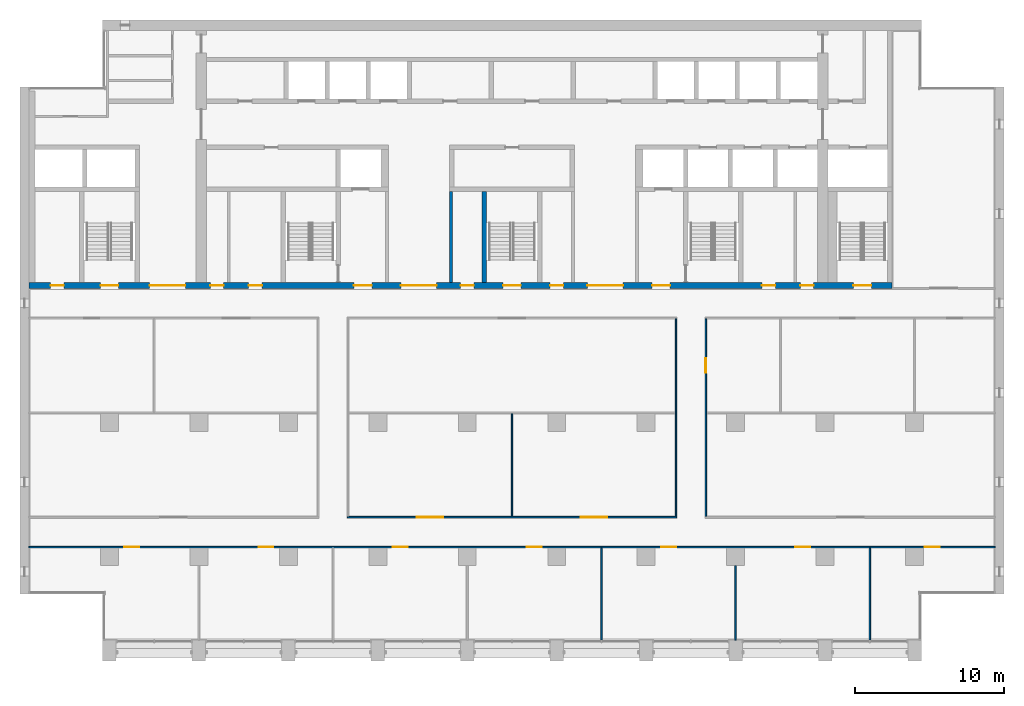
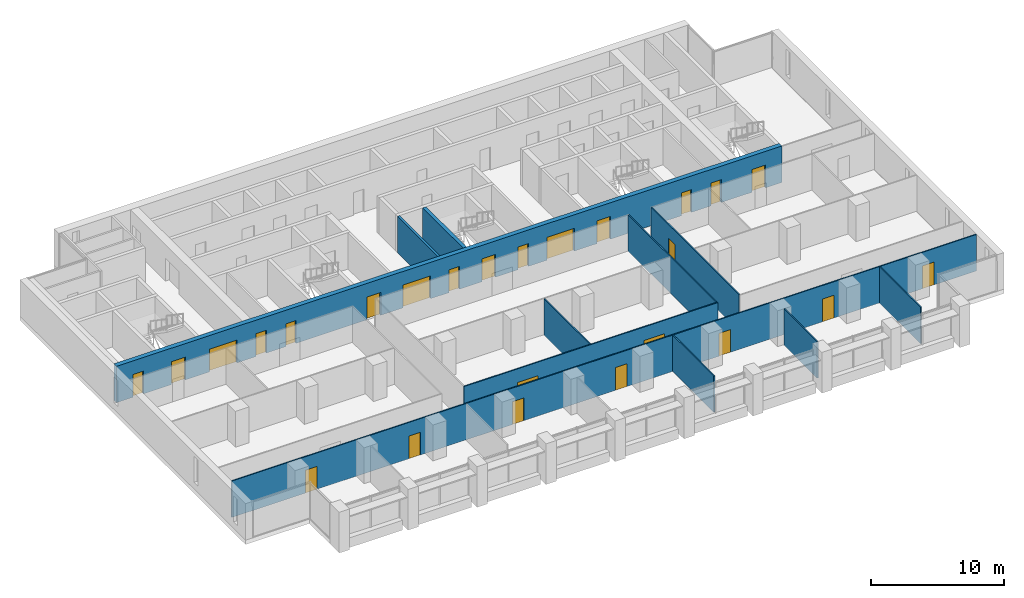
# One storey, part 9 of 17: 25 doors, 11 walls, 25 openings.
"""IFC4 building model written with IfcOpenShell, lengths in metres."""

import ifcopenshell
import ifcopenshell.guid

model = None  # the IFC model being written
_history = None  # IfcOwnerHistory: only IFC2X3 demands one
_inside = {}  # id of a spatial element -> (the spatial element, [elements in it])
_under = {}  # id of a project, library or spatial element -> (it, [spatial elements below it])
_declared = {}  # id of a project -> (the project, [libraries it declares])
_typed = {}  # id of a type object -> (the type object, [elements of that type])
_made_of = {}  # id of a material, layer set ... -> (it, [elements and type objects made of it])


def new_model(schema):
    """Start an empty IFC model of exactly this schema.

    Asked for "IFC4X3", IfcOpenShell would pick the latest addendum, in which some entities
    have other attributes; the version numbers below select the first issue.
    IFC2X3 requires an IfcOwnerHistory on every rooted entity: one is made here for all.
    """
    global model, _history
    if schema == "IFC4X3":
        model = ifcopenshell.file(schema_version=(4, 3, 0, 0))
    else:
        model = ifcopenshell.file(schema=schema)
    _inside.clear()
    _under.clear()
    _declared.clear()
    _typed.clear()
    _made_of.clear()
    _history = None
    if model.schema == "IFC2X3":
        org = make("IfcOrganization", Name="unknown")
        user = make(
            "IfcPersonAndOrganization",
            ThePerson=make("IfcPerson", FamilyName="unknown"),
            TheOrganization=org,
        )
        app = make(
            "IfcApplication",
            ApplicationDeveloper=org,
            Version="unknown",
            ApplicationFullName="unknown",
            ApplicationIdentifier="unknown",
        )
        _history = make(
            "IfcOwnerHistory",
            OwningUser=user,
            OwningApplication=app,
            ChangeAction="ADDED",
            CreationDate=0,
        )
    return model


def make(cls, **values):
    """One entity of the class cls with the attributes given. An attribute that is None is left unset."""
    return model.create_entity(
        cls, **{name: value for name, value in values.items() if value is not None}
    )


def rooted(cls, **values):
    """An entity with a GlobalId (a new one), such as an element, a storey or a relation."""
    return make(cls, GlobalId=ifcopenshell.guid.new(), OwnerHistory=_history, **values)


def si_unit(unit_type, name, prefix=None):
    """IfcSIUnit, for example si_unit("LENGTHUNIT", "METRE", prefix="MILLI")."""
    return make("IfcSIUnit", UnitType=unit_type, Prefix=prefix, Name=name)


def assignment(units):
    """IfcUnitAssignment: the units of a project."""
    return None if units is None else make("IfcUnitAssignment", Units=units)


def point(xyz):
    """IfcCartesianPoint."""
    return None if xyz is None else make("IfcCartesianPoint", Coordinates=xyz)


def direction(xyz):
    """IfcDirection."""
    return None if xyz is None else make("IfcDirection", DirectionRatios=xyz)


def frame(location, z_axis=None, x_axis=None):
    """IfcAxis2Placement3D, a coordinate frame: its origin and axes. An axis left out is left unset."""
    return make(
        "IfcAxis2Placement3D",
        Location=point(location),
        Axis=direction(z_axis),
        RefDirection=direction(x_axis),
    )


def frame_2d(location, x_axis=None):
    """IfcAxis2Placement2D, a coordinate frame in the plane: its origin and x axis."""
    return make(
        "IfcAxis2Placement2D", Location=point(location), RefDirection=direction(x_axis)
    )


def origin():
    """The frame at (0, 0, 0) with its axes left unset."""
    return frame((0.0, 0.0, 0.0))


def place(relative_to, where):
    """IfcLocalPlacement: puts the frame where relative to a parent placement (None: the world)."""
    return make(
        "IfcLocalPlacement", PlacementRelTo=relative_to, RelativePlacement=where
    )


def context(
    kind, dimensions, precision=None, world=None, true_north=None, identifier=None
):
    """IfcGeometricRepresentationContext, for example the 3D "Model" context."""
    return make(
        "IfcGeometricRepresentationContext",
        ContextIdentifier=identifier,
        ContextType=kind,
        CoordinateSpaceDimension=dimensions,
        Precision=precision,
        WorldCoordinateSystem=world,
        TrueNorth=true_north,
    )


def subcontext(parent, identifier, kind, view, scale=None):
    """IfcGeometricRepresentationSubContext, for example "Body" below "Model"."""
    return make(
        "IfcGeometricRepresentationSubContext",
        ContextIdentifier=identifier,
        ContextType=kind,
        ParentContext=parent,
        TargetScale=scale,
        TargetView=view,
    )


def project(units=None, contexts=None):
    """IfcProject with its units and contexts."""
    return rooted(
        "IfcProject",
        Name="project",
        RepresentationContexts=contexts,
        UnitsInContext=assignment(units),
    )


def spatial(cls, under=None, at=None, **own):
    """A site, building, storey or space (cls), placed at a placement, below another one or the project."""
    s = rooted(cls, ObjectPlacement=at, **own)
    if under is not None:
        _under.setdefault(under.id(), (under, []))[1].append(s)
    return s


def profile(cls, at=None, kind="AREA", **sizes):
    """A parametric profile (cls). Its sizes go by their IFC names, for example OverallWidth=200.0."""
    return make(cls, ProfileType=kind, Position=at, **sizes)


def rectangle(**sizes):
    """IfcRectangleProfileDef."""
    return profile("IfcRectangleProfileDef", **sizes)


def extrude(swept, where, along, depth):
    """IfcExtrudedAreaSolid: the profile swept, set in the frame where, extruded along a direction by depth."""
    return make(
        "IfcExtrudedAreaSolid",
        SweptArea=swept,
        Position=where,
        ExtrudedDirection=direction(along),
        Depth=depth,
    )


def shape(context_of_items, identifier, shape_type, items):
    """IfcShapeRepresentation: the items that make up one representation, for example the "Body"."""
    return make(
        "IfcShapeRepresentation",
        ContextOfItems=context_of_items,
        RepresentationIdentifier=identifier,
        RepresentationType=shape_type,
        Items=items,
    )


def material(Name=None, Category=None):
    """IfcMaterial."""
    return make("IfcMaterial", Name=Name, Category=Category)


def layer(
    of_material, thickness, ventilated=None, Name=None, Category=None, Priority=None
):
    """IfcMaterialLayer: one layer of a wall or slab, of a material (None: an air gap)."""
    return make(
        "IfcMaterialLayer",
        Material=of_material,
        LayerThickness=thickness,
        IsVentilated=ventilated,
        Name=Name,
        Category=Category,
        Priority=Priority,
    )


def layer_set(layers, Name=None):
    """IfcMaterialLayerSet."""
    return make("IfcMaterialLayerSet", MaterialLayers=layers, LayerSetName=Name)


def made_of(thing, what):
    """Note that an element or type object is made of a material, layer set ...; save() writes the relation."""
    if what is not None:
        _made_of.setdefault(what.id(), (what, []))[1].append(thing)
    return thing


def type_object(cls, material=None, **own):
    """A type object (cls), such as IfcWallType, which elements share."""
    return made_of(rooted(cls, **own), material)


def element(
    cls,
    number,
    at=None,
    inside=None,
    cuts=None,
    type_object=None,
    material=None,
    context=None,
    identifier="Body",
    shape_type=None,
    held_by="IfcProductDefinitionShape",
    body=None,
    shapes=None,
    **own,
):
    """One element of the class cls, such as IfcWall. Its Tag is "e" and its number.

    at: its placement. inside: the storey or other place that contains it. cuts: it is an
    opening in that element (IfcRelVoidsElement). A single representation is given by context,
    identifier, shape_type and body (its items); several are given by shapes. held_by: the class
    of the entity that holds the representations. save() writes the other relations.
    """
    e = rooted(cls, Tag="e%d" % number, ObjectPlacement=at, **own)
    if body is not None:
        shapes = [shape(context, identifier, shape_type, body)]
    if shapes is not None:
        e.Representation = make(held_by, Representations=shapes)
    if inside is not None:
        _inside.setdefault(inside.id(), (inside, []))[1].append(e)
    if cuts is not None:
        rooted(
            "IfcRelVoidsElement", RelatingBuildingElement=cuts, RelatedOpeningElement=e
        )
    if type_object is not None:
        _typed.setdefault(type_object.id(), (type_object, []))[1].append(e)
    return made_of(e, material)


def fill(opening, filler):
    """IfcRelFillsElement: the door or window that sits in an opening."""
    return rooted(
        "IfcRelFillsElement",
        RelatingOpeningElement=opening,
        RelatedBuildingElement=filler,
    )


def aggregate(whole, parts):
    """IfcRelAggregates: a whole, such as a stair, and the parts it consists of."""
    return rooted("IfcRelAggregates", RelatingObject=whole, RelatedObjects=parts)


def save(model, path):
    """Write the relations noted so far, then the file.

    IfcRelAggregates (storeys below a building ...), IfcRelContainedInSpatialStructure (elements
    in a storey), IfcRelDefinesByType, IfcRelAssociatesMaterial and IfcRelDeclares: one each for
    every whole, place, type object, material and project.
    """
    for whole, parts in _under.values():
        aggregate(whole, parts)
    for where, things in _inside.values():
        rooted(
            "IfcRelContainedInSpatialStructure",
            RelatedElements=things,
            RelatingStructure=where,
        )
    for kind, things in _typed.values():
        rooted("IfcRelDefinesByType", RelatedObjects=things, RelatingType=kind)
    for what, things in _made_of.values():
        rooted("IfcRelAssociatesMaterial", RelatedObjects=things, RelatingMaterial=what)
    for by, libraries in _declared.values():
        rooted("IfcRelDeclares", RelatingContext=by, RelatedDefinitions=libraries)
    model.write(path)


model = new_model("IFC4")

# Units and contexts
model_context = context("Model", 3, precision=1e-05, world=origin(), true_north=direction((0.0, 1.0)))
body_context = subcontext(model_context, "Body", "Model", "MODEL_VIEW")
ifc_project = project(units=[si_unit("LENGTHUNIT", "METRE"), si_unit("AREAUNIT", "SQUARE_METRE"), si_unit("VOLUMEUNIT", "CUBIC_METRE"), si_unit("PLANEANGLEUNIT", "RADIAN"), si_unit("MASSUNIT", "GRAM", prefix="KILO")], contexts=[model_context])

# Site, building, storey
site_placement = place(None, origin())
site = spatial("IfcSite", under=ifc_project, at=site_placement, CompositionType="ELEMENT")
building_placement = place(site_placement, origin())
building = spatial("IfcBuilding", under=site, at=building_placement, Name="Calvaro Tower", CompositionType="ELEMENT")
storey_placement = place(building_placement, frame((0.0, 0.0, 174.25)))
storey = spatial("IfcBuildingStorey", under=building, at=storey_placement, Name="L43", CompositionType="ELEMENT", Elevation=174.25)

# Walls
ifc_material_1 = material(Name="Blockwork partition", Category="masonry")
ifc_layer_1 = layer(ifc_material_1, 0.199951171875)
ifc_layer_set_1 = layer_set([ifc_layer_1], Name="Blockwork partition")
wall_type_1 = type_object("IfcWallType", Name="Core partition 200 REI 120", PredefinedType="PARTITIONING", material=ifc_layer_set_1)
wall_1_placement = place(storey_placement, frame((34.89990234375, 28.39990234375, 0.0), z_axis=(0.0, 0.0, 1.0), x_axis=(0.0, 1.0, 0.0)))
element("IfcWall", 1, at=wall_1_placement, inside=storey, type_object=wall_type_1, Name="Core partition", PredefinedType="PARTITIONING", context=body_context, shape_type="SweptSolid", body=[
    extrude(rectangle(XDim=6.10009765625, YDim=0.199951171875, at=frame_2d((3.050048828125, 0.0))), origin(), (0.0, 0.0, 1.0), 3.35009765625),
])
ifc_material_2 = material(Name="Concrete C50/60", Category="concrete")
ifc_layer_2 = layer(ifc_material_2, 0.300048828125)
ifc_layer_set_2 = layer_set([ifc_layer_2], Name="Concrete C50/60")
wall_type_2 = type_object("IfcWallType", Name="Core wall C50/60 300", PredefinedType="SHEAR", material=ifc_layer_set_2)
wall_2_placement = place(storey_placement, frame((37.14990234375, 28.39990234375, 0.0), z_axis=(0.0, 0.0, 1.0), x_axis=(0.0, 1.0, 0.0)))
element("IfcWall", 2, at=wall_2_placement, inside=storey, type_object=wall_type_2, Name="Core wall, stair enclosure", PredefinedType="SHEAR", context=body_context, shape_type="SweptSolid", body=[
    extrude(rectangle(XDim=6.10009765625, YDim=0.300048828125, at=frame_2d((3.050048828125, 0.0))), origin(), (0.0, 0.0, 1.0), 3.35009765625),
])

# Wall, openings, doors
ifc_material_3 = material(Name="Concrete C50/60", Category="concrete")
ifc_layer_3 = layer(ifc_material_3, 0.39990234375)
ifc_layer_set_3 = layer_set([ifc_layer_3], Name="Concrete C50/60")
wall_type_3 = type_object("IfcWallType", Name="Core wall C50/60 400", PredefinedType="SHEAR", material=ifc_layer_set_3)
wall_3_placement = place(storey_placement, frame((6.60009765625, 28.199951171875, 0.0), z_axis=(0.0, 0.0, 1.0), x_axis=(1.0, 0.0, 0.0)))
wall_3 = element("IfcWall", 3, at=wall_3_placement, inside=storey, type_object=wall_type_3, Name="Core wall, front", PredefinedType="SHEAR", context=body_context, shape_type="SweptSolid", body=[
    extrude(rectangle(XDim=57.89990234375, YDim=0.39990234375, at=frame_2d((28.949951171875, 0.0))), origin(), (0.0, 0.0, 1.0), 3.35009765625),
])
opening_1_placement = place(wall_3_placement, frame((12.16259765625, 0.0, 0.0)))
opening_1 = element("IfcOpeningElement", 4, at=opening_1_placement, cuts=wall_3, Name="Opening RD9C", PredefinedType="OPENING", context=body_context, shape_type="SweptSolid", body=[
    extrude(rectangle(XDim=0.89990234375, YDim=2.10009765625, at=frame_2d((0.449951171875, 1.050048828125))), frame((0.0, 0.2099609375, 0.0), z_axis=(0.0, -1.0, 0.0), x_axis=(1.0, 0.0, 0.0)), (0.0, 0.0, 1.0), 0.419921875),
])
opening_2_placement = place(wall_3_placement, frame((14.737548828125, 0.0, 0.0)))
opening_2 = element("IfcOpeningElement", 5, at=opening_2_placement, cuts=wall_3, Name="Opening RD9E", PredefinedType="OPENING", context=body_context, shape_type="SweptSolid", body=[
    extrude(rectangle(XDim=0.89990234375, YDim=2.10009765625, at=frame_2d((0.449951171875, 1.050048828125))), frame((0.0, 0.2099609375, 0.0), z_axis=(0.0, -1.0, 0.0), x_axis=(1.0, 0.0, 0.0)), (0.0, 0.0, 1.0), 0.419921875),
])
opening_3_placement = place(wall_3_placement, frame((49.16259765625, 0.0, 0.0)))
opening_3 = element("IfcOpeningElement", 6, at=opening_3_placement, cuts=wall_3, Name="Opening RD9E", PredefinedType="OPENING", context=body_context, shape_type="SweptSolid", body=[
    extrude(rectangle(XDim=0.89990234375, YDim=2.10009765625, at=frame_2d((0.449951171875, 1.050048828125))), frame((0.0, 0.2099609375, 0.0), z_axis=(0.0, -1.0, 0.0), x_axis=(1.0, 0.0, 0.0)), (0.0, 0.0, 1.0), 0.419921875),
])
opening_4_placement = place(wall_3_placement, frame((51.737548828125, 0.0, 0.0)))
opening_4 = element("IfcOpeningElement", 7, at=opening_4_placement, cuts=wall_3, Name="Opening RD9C", PredefinedType="OPENING", context=body_context, shape_type="SweptSolid", body=[
    extrude(rectangle(XDim=0.89990234375, YDim=2.10009765625, at=frame_2d((0.449951171875, 1.050048828125))), frame((0.0, 0.2099609375, 0.0), z_axis=(0.0, -1.0, 0.0), x_axis=(1.0, 0.0, 0.0)), (0.0, 0.0, 1.0), 0.419921875),
])
opening_5_placement = place(wall_3_placement, frame((1.449951171875, 0.0, 0.0)))
opening_5 = element("IfcOpeningElement", 8, at=opening_5_placement, cuts=wall_3, Name="Opening RD9E", PredefinedType="OPENING", context=body_context, shape_type="SweptSolid", body=[
    extrude(rectangle(XDim=0.89990234375, YDim=2.10009765625, at=frame_2d((0.449951171875, 1.050048828125))), frame((0.0, 0.2099609375, 0.0), z_axis=(0.0, -1.0, 0.0), x_axis=(1.0, 0.0, 0.0)), (0.0, 0.0, 1.0), 0.419921875),
])
opening_6_placement = place(wall_3_placement, frame((4.800048828125, 0.0, 0.0)))
opening_6 = element("IfcOpeningElement", 9, at=opening_6_placement, cuts=wall_3, Name="Opening SD12D", PredefinedType="OPENING", context=body_context, shape_type="SweptSolid", body=[
    extrude(rectangle(XDim=1.199951171875, YDim=2.10009765625, at=frame_2d((0.60009765625, 1.050048828125))), frame((0.0, 0.2099609375, 0.0), z_axis=(0.0, -1.0, 0.0), x_axis=(1.0, 0.0, 0.0)), (0.0, 0.0, 1.0), 0.419921875),
])
opening_7_placement = place(wall_3_placement, frame((31.800048828125, 0.0, 0.0)))
opening_7 = element("IfcOpeningElement", 10, at=opening_7_placement, cuts=wall_3, Name="Opening SD12D", PredefinedType="OPENING", context=body_context, shape_type="SweptSolid", body=[
    extrude(rectangle(XDim=1.199951171875, YDim=2.10009765625, at=frame_2d((0.60009765625, 1.050048828125))), frame((0.0, 0.2099609375, 0.0), z_axis=(0.0, -1.0, 0.0), x_axis=(1.0, 0.0, 0.0)), (0.0, 0.0, 1.0), 0.419921875),
])
opening_8_placement = place(wall_3_placement, frame((55.300048828125, 0.0, 0.0)))
opening_8 = element("IfcOpeningElement", 11, at=opening_8_placement, cuts=wall_3, Name="Opening SD12D", PredefinedType="OPENING", context=body_context, shape_type="SweptSolid", body=[
    extrude(rectangle(XDim=1.199951171875, YDim=2.10009765625, at=frame_2d((0.60009765625, 1.050048828125))), frame((0.0, 0.2099609375, 0.0), z_axis=(0.0, -1.0, 0.0), x_axis=(1.0, 0.0, 0.0)), (0.0, 0.0, 1.0), 0.419921875),
])
opening_9_placement = place(wall_3_placement, frame((21.800048828125, 0.0, 0.0)))
opening_9 = element("IfcOpeningElement", 12, at=opening_9_placement, cuts=wall_3, Name="Opening FD12F", PredefinedType="OPENING", context=body_context, shape_type="SweptSolid", body=[
    extrude(rectangle(XDim=1.199951171875, YDim=2.10009765625, at=frame_2d((0.60009765625, 1.050048828125))), frame((0.0, 0.2099609375, 0.0), z_axis=(0.0, -1.0, 0.0), x_axis=(1.0, 0.0, 0.0)), (0.0, 0.0, 1.0), 0.419921875),
])
opening_10_placement = place(wall_3_placement, frame((41.800048828125, 0.0, 0.0)))
opening_10 = element("IfcOpeningElement", 13, at=opening_10_placement, cuts=wall_3, Name="Opening FD12F", PredefinedType="OPENING", context=body_context, shape_type="SweptSolid", body=[
    extrude(rectangle(XDim=1.199951171875, YDim=2.10009765625, at=frame_2d((0.60009765625, 1.050048828125))), frame((0.0, 0.2099609375, 0.0), z_axis=(0.0, -1.0, 0.0), x_axis=(1.0, 0.0, 0.0)), (0.0, 0.0, 1.0), 0.419921875),
])
opening_11_placement = place(wall_3_placement, frame((24.949951171875, 0.0, 0.0)))
opening_11 = element("IfcOpeningElement", 14, at=opening_11_placement, cuts=wall_3, Name="Opening DD24D", PredefinedType="OPENING", context=body_context, shape_type="SweptSolid", body=[
    extrude(rectangle(XDim=2.39990234375, YDim=2.10009765625, at=frame_2d((1.199951171875, 1.050048828125))), frame((0.0, 0.2099609375, 0.0), z_axis=(0.0, -1.0, 0.0), x_axis=(1.0, 0.0, 0.0)), (0.0, 0.0, 1.0), 0.419921875),
])
opening_12_placement = place(wall_3_placement, frame((37.449951171875, 0.0, 0.0)))
opening_12 = element("IfcOpeningElement", 15, at=opening_12_placement, cuts=wall_3, Name="Opening DD24D", PredefinedType="OPENING", context=body_context, shape_type="SweptSolid", body=[
    extrude(rectangle(XDim=2.39990234375, YDim=2.10009765625, at=frame_2d((1.199951171875, 1.050048828125))), frame((0.0, 0.2099609375, 0.0), z_axis=(0.0, -1.0, 0.0), x_axis=(1.0, 0.0, 0.0)), (0.0, 0.0, 1.0), 0.419921875),
])
opening_13_placement = place(wall_3_placement, frame((8.10009765625, 0.0, 0.0)))
opening_13 = element("IfcOpeningElement", 16, at=opening_13_placement, cuts=wall_3, Name="Opening DD24D", PredefinedType="OPENING", context=body_context, shape_type="SweptSolid", body=[
    extrude(rectangle(XDim=2.39990234375, YDim=2.10009765625, at=frame_2d((1.199951171875, 1.050048828125))), frame((0.0, 0.2099609375, 0.0), z_axis=(0.0, -1.0, 0.0), x_axis=(1.0, 0.0, 0.0)), (0.0, 0.0, 1.0), 0.419921875),
])
opening_14_placement = place(wall_3_placement, frame((28.949951171875, 0.0, 0.0)))
opening_14 = element("IfcOpeningElement", 17, at=opening_14_placement, cuts=wall_3, Name="Opening RD9E", PredefinedType="OPENING", context=body_context, shape_type="SweptSolid", body=[
    extrude(rectangle(XDim=0.89990234375, YDim=2.10009765625, at=frame_2d((0.449951171875, 1.050048828125))), frame((0.0, 0.2099609375, 0.0), z_axis=(0.0, -1.0, 0.0), x_axis=(1.0, 0.0, 0.0)), (0.0, 0.0, 1.0), 0.419921875),
])
opening_15_placement = place(wall_3_placement, frame((34.949951171875, 0.0, 0.0)))
opening_15 = element("IfcOpeningElement", 18, at=opening_15_placement, cuts=wall_3, Name="Opening RD9E", PredefinedType="OPENING", context=body_context, shape_type="SweptSolid", body=[
    extrude(rectangle(XDim=0.89990234375, YDim=2.10009765625, at=frame_2d((0.449951171875, 1.050048828125))), frame((0.0, 0.2099609375, 0.0), z_axis=(0.0, -1.0, 0.0), x_axis=(1.0, 0.0, 0.0)), (0.0, 0.0, 1.0), 0.419921875),
])
ifc_material_4 = material(Name="Steel door set", Category="steel")
door_type_1 = type_object("IfcDoorType", Name="Fire door 1200 FD60S", OperationType="SINGLE_SWING_LEFT", PredefinedType="DOOR", material=ifc_material_4)
door_1_placement = place(opening_9_placement, origin())
door_1 = element("IfcDoor", 19, at=door_1_placement, inside=storey, type_object=door_type_1, Name="Fire door", OperationType="SINGLE_SWING_LEFT", OverallHeight=2.10009765625, OverallWidth=1.199951171875, PredefinedType="DOOR", context=body_context, shape_type="SweptSolid", body=[
    extrude(rectangle(XDim=1.199951171875, YDim=2.10009765625, at=frame_2d((0.60009765625, 1.050048828125))), frame((0.0, 0.02490234375, 0.0), z_axis=(0.0, -1.0, 0.0), x_axis=(1.0, 0.0, 0.0)), (0.0, 0.0, 1.0), 0.050048828125),
])
fill(opening_9, door_1)
door_2_placement = place(opening_10_placement, origin())
door_2 = element("IfcDoor", 20, at=door_2_placement, inside=storey, type_object=door_type_1, Name="Fire door", OperationType="SINGLE_SWING_LEFT", OverallHeight=2.10009765625, OverallWidth=1.199951171875, PredefinedType="DOOR", context=body_context, shape_type="SweptSolid", body=[
    extrude(rectangle(XDim=1.199951171875, YDim=2.10009765625, at=frame_2d((0.60009765625, 1.050048828125))), frame((0.0, 0.02490234375, 0.0), z_axis=(0.0, -1.0, 0.0), x_axis=(1.0, 0.0, 0.0)), (0.0, 0.0, 1.0), 0.050048828125),
])
fill(opening_10, door_2)
ifc_material_5 = material(Name="Steel door set", Category="steel")
door_type_2 = type_object("IfcDoorType", Name="Lobby double door 2400 FD30S", OperationType="DOUBLE_DOOR_SINGLE_SWING", PredefinedType="DOOR", material=ifc_material_5)
door_3_placement = place(opening_11_placement, origin())
door_3 = element("IfcDoor", 21, at=door_3_placement, inside=storey, type_object=door_type_2, Name="Lobby double door", OperationType="DOUBLE_DOOR_SINGLE_SWING", OverallHeight=2.10009765625, OverallWidth=2.39990234375, PredefinedType="DOOR", context=body_context, shape_type="SweptSolid", body=[
    extrude(rectangle(XDim=2.39990234375, YDim=2.10009765625, at=frame_2d((1.199951171875, 1.050048828125))), frame((0.0, 0.02490234375, 0.0), z_axis=(0.0, -1.0, 0.0), x_axis=(1.0, 0.0, 0.0)), (0.0, 0.0, 1.0), 0.050048828125),
])
fill(opening_11, door_3)
door_4_placement = place(opening_12_placement, origin())
door_4 = element("IfcDoor", 22, at=door_4_placement, inside=storey, type_object=door_type_2, Name="Lobby double door", OperationType="DOUBLE_DOOR_SINGLE_SWING", OverallHeight=2.10009765625, OverallWidth=2.39990234375, PredefinedType="DOOR", context=body_context, shape_type="SweptSolid", body=[
    extrude(rectangle(XDim=2.39990234375, YDim=2.10009765625, at=frame_2d((1.199951171875, 1.050048828125))), frame((0.0, 0.02490234375, 0.0), z_axis=(0.0, -1.0, 0.0), x_axis=(1.0, 0.0, 0.0)), (0.0, 0.0, 1.0), 0.050048828125),
])
fill(opening_12, door_4)
door_5_placement = place(opening_13_placement, origin())
door_5 = element("IfcDoor", 23, at=door_5_placement, inside=storey, type_object=door_type_2, Name="Lobby double door", OperationType="DOUBLE_DOOR_SINGLE_SWING", OverallHeight=2.10009765625, OverallWidth=2.39990234375, PredefinedType="DOOR", context=body_context, shape_type="SweptSolid", body=[
    extrude(rectangle(XDim=2.39990234375, YDim=2.10009765625, at=frame_2d((1.199951171875, 1.050048828125))), frame((0.0, 0.02490234375, 0.0), z_axis=(0.0, -1.0, 0.0), x_axis=(1.0, 0.0, 0.0)), (0.0, 0.0, 1.0), 0.050048828125),
])
fill(opening_13, door_5)
ifc_material_6 = material(Name="Steel door set", Category="steel")
door_type_3 = type_object("IfcDoorType", Name="Room door 900 FD30", OperationType="SINGLE_SWING_LEFT", PredefinedType="DOOR", material=ifc_material_6)
door_6_placement = place(opening_1_placement, origin())
door_6 = element("IfcDoor", 24, at=door_6_placement, inside=storey, type_object=door_type_3, Name="Room door", OperationType="SINGLE_SWING_LEFT", OverallHeight=2.10009765625, OverallWidth=0.89990234375, PredefinedType="DOOR", context=body_context, shape_type="SweptSolid", body=[
    extrude(rectangle(XDim=0.89990234375, YDim=2.10009765625, at=frame_2d((0.449951171875, 1.050048828125))), frame((0.0, 0.02490234375, 0.0), z_axis=(0.0, -1.0, 0.0), x_axis=(1.0, 0.0, 0.0)), (0.0, 0.0, 1.0), 0.050048828125),
])
fill(opening_1, door_6)
door_7_placement = place(opening_4_placement, origin())
door_7 = element("IfcDoor", 25, at=door_7_placement, inside=storey, type_object=door_type_3, Name="Room door", OperationType="SINGLE_SWING_LEFT", OverallHeight=2.10009765625, OverallWidth=0.89990234375, PredefinedType="DOOR", context=body_context, shape_type="SweptSolid", body=[
    extrude(rectangle(XDim=0.89990234375, YDim=2.10009765625, at=frame_2d((0.449951171875, 1.050048828125))), frame((0.0, 0.02490234375, 0.0), z_axis=(0.0, -1.0, 0.0), x_axis=(1.0, 0.0, 0.0)), (0.0, 0.0, 1.0), 0.050048828125),
])
fill(opening_4, door_7)
ifc_material_7 = material(Name="Steel door set", Category="steel")
door_type_4 = type_object("IfcDoorType", Name="Room door 900 FD60", OperationType="SINGLE_SWING_LEFT", PredefinedType="DOOR", material=ifc_material_7)
door_8_placement = place(opening_2_placement, origin())
door_8 = element("IfcDoor", 26, at=door_8_placement, inside=storey, type_object=door_type_4, Name="Room door", OperationType="SINGLE_SWING_RIGHT", OverallHeight=2.10009765625, OverallWidth=0.89990234375, PredefinedType="DOOR", context=body_context, shape_type="SweptSolid", body=[
    extrude(rectangle(XDim=0.89990234375, YDim=2.10009765625, at=frame_2d((0.449951171875, 1.050048828125))), frame((0.0, 0.02490234375, 0.0), z_axis=(0.0, -1.0, 0.0), x_axis=(1.0, 0.0, 0.0)), (0.0, 0.0, 1.0), 0.050048828125),
])
fill(opening_2, door_8)
door_9_placement = place(opening_3_placement, origin())
door_9 = element("IfcDoor", 27, at=door_9_placement, inside=storey, type_object=door_type_4, Name="Room door", OperationType="SINGLE_SWING_LEFT", OverallHeight=2.10009765625, OverallWidth=0.89990234375, PredefinedType="DOOR", context=body_context, shape_type="SweptSolid", body=[
    extrude(rectangle(XDim=0.89990234375, YDim=2.10009765625, at=frame_2d((0.449951171875, 1.050048828125))), frame((0.0, 0.02490234375, 0.0), z_axis=(0.0, -1.0, 0.0), x_axis=(1.0, 0.0, 0.0)), (0.0, 0.0, 1.0), 0.050048828125),
])
fill(opening_3, door_9)
door_10_placement = place(opening_5_placement, origin())
door_10 = element("IfcDoor", 28, at=door_10_placement, inside=storey, type_object=door_type_4, Name="Room door", OperationType="SINGLE_SWING_LEFT", OverallHeight=2.10009765625, OverallWidth=0.89990234375, PredefinedType="DOOR", context=body_context, shape_type="SweptSolid", body=[
    extrude(rectangle(XDim=0.89990234375, YDim=2.10009765625, at=frame_2d((0.449951171875, 1.050048828125))), frame((0.0, 0.02490234375, 0.0), z_axis=(0.0, -1.0, 0.0), x_axis=(1.0, 0.0, 0.0)), (0.0, 0.0, 1.0), 0.050048828125),
])
fill(opening_5, door_10)
door_11_placement = place(opening_14_placement, origin())
door_11 = element("IfcDoor", 29, at=door_11_placement, inside=storey, type_object=door_type_4, Name="Room door", OperationType="SINGLE_SWING_LEFT", OverallHeight=2.10009765625, OverallWidth=0.89990234375, PredefinedType="DOOR", context=body_context, shape_type="SweptSolid", body=[
    extrude(rectangle(XDim=0.89990234375, YDim=2.10009765625, at=frame_2d((0.449951171875, 1.050048828125))), frame((0.0, 0.02490234375, 0.0), z_axis=(0.0, -1.0, 0.0), x_axis=(1.0, 0.0, 0.0)), (0.0, 0.0, 1.0), 0.050048828125),
])
fill(opening_14, door_11)
door_12_placement = place(opening_15_placement, origin())
door_12 = element("IfcDoor", 30, at=door_12_placement, inside=storey, type_object=door_type_4, Name="Room door", OperationType="SINGLE_SWING_LEFT", OverallHeight=2.10009765625, OverallWidth=0.89990234375, PredefinedType="DOOR", context=body_context, shape_type="SweptSolid", body=[
    extrude(rectangle(XDim=0.89990234375, YDim=2.10009765625, at=frame_2d((0.449951171875, 1.050048828125))), frame((0.0, 0.02490234375, 0.0), z_axis=(0.0, -1.0, 0.0), x_axis=(1.0, 0.0, 0.0)), (0.0, 0.0, 1.0), 0.050048828125),
])
fill(opening_15, door_12)
ifc_material_8 = material(Name="Steel door set", Category="steel")
door_type_5 = type_object("IfcDoorType", Name="Stair door 1200 FD30S", OperationType="SINGLE_SWING_LEFT", PredefinedType="DOOR", material=ifc_material_8)
door_13_placement = place(opening_6_placement, origin())
door_13 = element("IfcDoor", 31, at=door_13_placement, inside=storey, type_object=door_type_5, Name="Stair door", OperationType="SINGLE_SWING_LEFT", OverallHeight=2.10009765625, OverallWidth=1.199951171875, PredefinedType="DOOR", context=body_context, shape_type="SweptSolid", body=[
    extrude(rectangle(XDim=1.199951171875, YDim=2.10009765625, at=frame_2d((0.60009765625, 1.050048828125))), frame((0.0, 0.02490234375, 0.0), z_axis=(0.0, -1.0, 0.0), x_axis=(1.0, 0.0, 0.0)), (0.0, 0.0, 1.0), 0.050048828125),
])
fill(opening_6, door_13)
door_14_placement = place(opening_7_placement, origin())
door_14 = element("IfcDoor", 32, at=door_14_placement, inside=storey, type_object=door_type_5, Name="Stair door", OperationType="SINGLE_SWING_LEFT", OverallHeight=2.10009765625, OverallWidth=1.199951171875, PredefinedType="DOOR", context=body_context, shape_type="SweptSolid", body=[
    extrude(rectangle(XDim=1.199951171875, YDim=2.10009765625, at=frame_2d((0.60009765625, 1.050048828125))), frame((0.0, 0.02490234375, 0.0), z_axis=(0.0, -1.0, 0.0), x_axis=(1.0, 0.0, 0.0)), (0.0, 0.0, 1.0), 0.050048828125),
])
fill(opening_7, door_14)
door_15_placement = place(opening_8_placement, origin())
door_15 = element("IfcDoor", 33, at=door_15_placement, inside=storey, type_object=door_type_5, Name="Stair door", OperationType="SINGLE_SWING_LEFT", OverallHeight=2.10009765625, OverallWidth=1.199951171875, PredefinedType="DOOR", context=body_context, shape_type="SweptSolid", body=[
    extrude(rectangle(XDim=1.199951171875, YDim=2.10009765625, at=frame_2d((0.60009765625, 1.050048828125))), frame((0.0, 0.02490234375, 0.0), z_axis=(0.0, -1.0, 0.0), x_axis=(1.0, 0.0, 0.0)), (0.0, 0.0, 1.0), 0.050048828125),
])
fill(opening_8, door_15)

ifc_material_9 = material(Name="Plasterboard on steel studs", Category="steel")
ifc_layer_4 = layer(ifc_material_9, 0.10009765625)
ifc_layer_set_4 = layer_set([ifc_layer_4], Name="Plasterboard on steel studs")
wall_type_4 = type_object("IfcWallType", Name="Partition 100", PredefinedType="PARTITIONING", material=ifc_layer_set_4)
wall_4_placement = place(storey_placement, frame((6.60009765625, 10.64990234375, 0.0), z_axis=(0.0, 0.0, 1.0), x_axis=(1.0, 0.0, 0.0)))
wall_4 = element("IfcWall", 34, at=wall_4_placement, inside=storey, type_object=wall_type_4, Name="Partition T25.W001", PredefinedType="PARTITIONING", context=body_context, shape_type="SweptSolid", body=[
    extrude(rectangle(XDim=64.7998046875, YDim=0.10009765625, at=frame_2d((32.39990234375, 0.0))), origin(), (0.0, 0.0, 1.0), 3.35009765625),
])
opening_16_placement = place(wall_4_placement, frame((15.39990234375, 0.0, 0.0)))
opening_16 = element("IfcOpeningElement", 35, at=opening_16_placement, cuts=wall_4, Name="Opening T25.001", PredefinedType="OPENING", context=body_context, shape_type="SweptSolid", body=[
    extrude(rectangle(XDim=1.0, YDim=2.10009765625, at=frame_2d((0.5, 1.050048828125))), frame((0.0, 0.06005859375, 0.0), z_axis=(0.0, -1.0, 0.0), x_axis=(1.0, 0.0, 0.0)), (0.0, 0.0, 1.0), 0.1201171875),
])
opening_17_placement = place(wall_4_placement, frame((24.39990234375, 0.0, 0.0)))
opening_17 = element("IfcOpeningElement", 36, at=opening_17_placement, cuts=wall_4, Name="Opening T25.002", PredefinedType="OPENING", context=body_context, shape_type="SweptSolid", body=[
    extrude(rectangle(XDim=1.0, YDim=2.10009765625, at=frame_2d((0.5, 1.050048828125))), frame((0.0, 0.06005859375, 0.0), z_axis=(0.0, -1.0, 0.0), x_axis=(1.0, 0.0, 0.0)), (0.0, 0.0, 1.0), 0.1201171875),
])
opening_18_placement = place(wall_4_placement, frame((33.39990234375, 0.0, 0.0)))
opening_18 = element("IfcOpeningElement", 37, at=opening_18_placement, cuts=wall_4, Name="Opening T25.003", PredefinedType="OPENING", context=body_context, shape_type="SweptSolid", body=[
    extrude(rectangle(XDim=1.0, YDim=2.10009765625, at=frame_2d((0.5, 1.050048828125))), frame((0.0, 0.06005859375, 0.0), z_axis=(0.0, -1.0, 0.0), x_axis=(1.0, 0.0, 0.0)), (0.0, 0.0, 1.0), 0.1201171875),
])
opening_19_placement = place(wall_4_placement, frame((42.39990234375, 0.0, 0.0)))
opening_19 = element("IfcOpeningElement", 38, at=opening_19_placement, cuts=wall_4, Name="Opening T25.004", PredefinedType="OPENING", context=body_context, shape_type="SweptSolid", body=[
    extrude(rectangle(XDim=1.0, YDim=2.10009765625, at=frame_2d((0.5, 1.050048828125))), frame((0.0, 0.06005859375, 0.0), z_axis=(0.0, -1.0, 0.0), x_axis=(1.0, 0.0, 0.0)), (0.0, 0.0, 1.0), 0.1201171875),
])
opening_20_placement = place(wall_4_placement, frame((51.39990234375, 0.0, 0.0)))
opening_20 = element("IfcOpeningElement", 39, at=opening_20_placement, cuts=wall_4, Name="Opening T25.005", PredefinedType="OPENING", context=body_context, shape_type="SweptSolid", body=[
    extrude(rectangle(XDim=1.0, YDim=2.10009765625, at=frame_2d((0.5, 1.050048828125))), frame((0.0, 0.06005859375, 0.0), z_axis=(0.0, -1.0, 0.0), x_axis=(1.0, 0.0, 0.0)), (0.0, 0.0, 1.0), 0.1201171875),
])
opening_21_placement = place(wall_4_placement, frame((6.39990234375, 0.0, 0.0)))
opening_21 = element("IfcOpeningElement", 40, at=opening_21_placement, cuts=wall_4, Name="Opening T25.006", PredefinedType="OPENING", context=body_context, shape_type="SweptSolid", body=[
    extrude(rectangle(XDim=1.0, YDim=2.10009765625, at=frame_2d((0.5, 1.050048828125))), frame((0.0, 0.06005859375, 0.0), z_axis=(0.0, -1.0, 0.0), x_axis=(1.0, 0.0, 0.0)), (0.0, 0.0, 1.0), 0.1201171875),
])
opening_22_placement = place(wall_4_placement, frame((60.10009765625, 0.0, 0.0)))
opening_22 = element("IfcOpeningElement", 41, at=opening_22_placement, cuts=wall_4, Name="Opening T25.007", PredefinedType="OPENING", context=body_context, shape_type="SweptSolid", body=[
    extrude(rectangle(XDim=1.0, YDim=2.10009765625, at=frame_2d((0.5, 1.050048828125))), frame((0.0, 0.06005859375, 0.0), z_axis=(0.0, -1.0, 0.0), x_axis=(1.0, 0.0, 0.0)), (0.0, 0.0, 1.0), 0.1201171875),
])
ifc_material_10 = material(Name="Timber", Category="wood")
door_type_6 = type_object("IfcDoorType", Name="Internal single door 1000 x 2100", OperationType="SINGLE_SWING_LEFT", PredefinedType="DOOR", material=ifc_material_10)
door_16_placement = place(opening_16_placement, origin())
door_16 = element("IfcDoor", 42, at=door_16_placement, inside=storey, type_object=door_type_6, Name="Door T25.001", OperationType="SINGLE_SWING_LEFT", OverallHeight=2.10009765625, OverallWidth=1.0, PredefinedType="DOOR", context=body_context, shape_type="SweptSolid", body=[
    extrude(rectangle(XDim=1.0, YDim=2.10009765625, at=frame_2d((0.5, 1.050048828125))), frame((0.0, 0.02490234375, 0.0), z_axis=(0.0, -1.0, 0.0), x_axis=(1.0, 0.0, 0.0)), (0.0, 0.0, 1.0), 0.050048828125),
])
fill(opening_16, door_16)
door_17_placement = place(opening_17_placement, origin())
door_17 = element("IfcDoor", 43, at=door_17_placement, inside=storey, type_object=door_type_6, Name="Door T25.002", OperationType="SINGLE_SWING_LEFT", OverallHeight=2.10009765625, OverallWidth=1.0, PredefinedType="DOOR", context=body_context, shape_type="SweptSolid", body=[
    extrude(rectangle(XDim=1.0, YDim=2.10009765625, at=frame_2d((0.5, 1.050048828125))), frame((0.0, 0.02490234375, 0.0), z_axis=(0.0, -1.0, 0.0), x_axis=(1.0, 0.0, 0.0)), (0.0, 0.0, 1.0), 0.050048828125),
])
fill(opening_17, door_17)
door_18_placement = place(opening_18_placement, origin())
door_18 = element("IfcDoor", 44, at=door_18_placement, inside=storey, type_object=door_type_6, Name="Door T25.003", OperationType="SINGLE_SWING_RIGHT", OverallHeight=2.10009765625, OverallWidth=1.0, PredefinedType="DOOR", context=body_context, shape_type="SweptSolid", body=[
    extrude(rectangle(XDim=1.0, YDim=2.10009765625, at=frame_2d((0.5, 1.050048828125))), frame((0.0, 0.02490234375, 0.0), z_axis=(0.0, -1.0, 0.0), x_axis=(1.0, 0.0, 0.0)), (0.0, 0.0, 1.0), 0.050048828125),
])
fill(opening_18, door_18)
door_19_placement = place(opening_19_placement, origin())
door_19 = element("IfcDoor", 45, at=door_19_placement, inside=storey, type_object=door_type_6, Name="Door T25.004", OperationType="SINGLE_SWING_RIGHT", OverallHeight=2.10009765625, OverallWidth=1.0, PredefinedType="DOOR", context=body_context, shape_type="SweptSolid", body=[
    extrude(rectangle(XDim=1.0, YDim=2.10009765625, at=frame_2d((0.5, 1.050048828125))), frame((0.0, 0.02490234375, 0.0), z_axis=(0.0, -1.0, 0.0), x_axis=(1.0, 0.0, 0.0)), (0.0, 0.0, 1.0), 0.050048828125),
])
fill(opening_19, door_19)
door_20_placement = place(opening_20_placement, origin())
door_20 = element("IfcDoor", 46, at=door_20_placement, inside=storey, type_object=door_type_6, Name="Door T25.005", OperationType="SINGLE_SWING_RIGHT", OverallHeight=2.10009765625, OverallWidth=1.0, PredefinedType="DOOR", context=body_context, shape_type="SweptSolid", body=[
    extrude(rectangle(XDim=1.0, YDim=2.10009765625, at=frame_2d((0.5, 1.050048828125))), frame((0.0, 0.02490234375, 0.0), z_axis=(0.0, -1.0, 0.0), x_axis=(1.0, 0.0, 0.0)), (0.0, 0.0, 1.0), 0.050048828125),
])
fill(opening_20, door_20)
door_21_placement = place(opening_21_placement, origin())
door_21 = element("IfcDoor", 47, at=door_21_placement, inside=storey, type_object=door_type_6, Name="Door T25.006", OperationType="SINGLE_SWING_LEFT", OverallHeight=2.10009765625, OverallWidth=1.0, PredefinedType="DOOR", context=body_context, shape_type="SweptSolid", body=[
    extrude(rectangle(XDim=1.0, YDim=2.10009765625, at=frame_2d((0.5, 1.050048828125))), frame((0.0, 0.02490234375, 0.0), z_axis=(0.0, -1.0, 0.0), x_axis=(1.0, 0.0, 0.0)), (0.0, 0.0, 1.0), 0.050048828125),
])
fill(opening_21, door_21)
door_22_placement = place(opening_22_placement, origin())
door_22 = element("IfcDoor", 48, at=door_22_placement, inside=storey, type_object=door_type_6, Name="Door T25.007", OperationType="SINGLE_SWING_RIGHT", OverallHeight=2.10009765625, OverallWidth=1.0, PredefinedType="DOOR", context=body_context, shape_type="SweptSolid", body=[
    extrude(rectangle(XDim=1.0, YDim=2.10009765625, at=frame_2d((0.5, 1.050048828125))), frame((0.0, 0.02490234375, 0.0), z_axis=(0.0, -1.0, 0.0), x_axis=(1.0, 0.0, 0.0)), (0.0, 0.0, 1.0), 0.050048828125),
])
fill(opening_22, door_22)

wall_5_placement = place(storey_placement, frame((27.949951171875, 12.64990234375, 0.0), z_axis=(0.0, 0.0, 1.0), x_axis=(1.0, 0.0, 0.0)))
wall_5 = element("IfcWall", 49, at=wall_5_placement, inside=storey, type_object=wall_type_4, Name="Partition T25.W003", PredefinedType="PARTITIONING", context=body_context, shape_type="SweptSolid", body=[
    extrude(rectangle(XDim=22.10009765625, YDim=0.10009765625, at=frame_2d((11.050048828125, 0.0))), origin(), (0.0, 0.0, 1.0), 3.35009765625),
])
opening_23_placement = place(wall_5_placement, frame((4.64990234375, 0.0, 0.0)))
opening_23 = element("IfcOpeningElement", 50, at=opening_23_placement, cuts=wall_5, Name="Opening T25.009", PredefinedType="OPENING", context=body_context, shape_type="SweptSolid", body=[
    extrude(rectangle(XDim=1.800048828125, YDim=2.10009765625, at=frame_2d((0.89990234375, 1.050048828125))), frame((0.0, 0.06005859375, 0.0), z_axis=(0.0, -1.0, 0.0), x_axis=(1.0, 0.0, 0.0)), (0.0, 0.0, 1.0), 0.1201171875),
])
opening_24_placement = place(wall_5_placement, frame((15.64990234375, 0.0, 0.0)))
opening_24 = element("IfcOpeningElement", 51, at=opening_24_placement, cuts=wall_5, Name="Opening T25.010", PredefinedType="OPENING", context=body_context, shape_type="SweptSolid", body=[
    extrude(rectangle(XDim=1.800048828125, YDim=2.10009765625, at=frame_2d((0.89990234375, 1.050048828125))), frame((0.0, 0.06005859375, 0.0), z_axis=(0.0, -1.0, 0.0), x_axis=(1.0, 0.0, 0.0)), (0.0, 0.0, 1.0), 0.1201171875),
])
ifc_material_11 = material(Name="Timber", Category="wood")
door_type_7 = type_object("IfcDoorType", Name="Internal double door 1800 x 2100", OperationType="DOUBLE_DOOR_SINGLE_SWING", PredefinedType="DOOR", material=ifc_material_11)
door_23_placement = place(opening_23_placement, origin())
door_23 = element("IfcDoor", 52, at=door_23_placement, inside=storey, type_object=door_type_7, Name="Door T25.009", OperationType="DOUBLE_DOOR_SINGLE_SWING", OverallHeight=2.10009765625, OverallWidth=1.800048828125, PredefinedType="DOOR", context=body_context, shape_type="SweptSolid", body=[
    extrude(rectangle(XDim=1.800048828125, YDim=2.10009765625, at=frame_2d((0.89990234375, 1.050048828125))), frame((0.0, 0.02490234375, 0.0), z_axis=(0.0, -1.0, 0.0), x_axis=(1.0, 0.0, 0.0)), (0.0, 0.0, 1.0), 0.050048828125),
])
fill(opening_23, door_23)
door_24_placement = place(opening_24_placement, origin())
door_24 = element("IfcDoor", 53, at=door_24_placement, inside=storey, type_object=door_type_7, Name="Door T25.010", OperationType="DOUBLE_DOOR_SINGLE_SWING", OverallHeight=2.10009765625, OverallWidth=1.800048828125, PredefinedType="DOOR", context=body_context, shape_type="SweptSolid", body=[
    extrude(rectangle(XDim=1.800048828125, YDim=2.10009765625, at=frame_2d((0.89990234375, 1.050048828125))), frame((0.0, 0.02490234375, 0.0), z_axis=(0.0, -1.0, 0.0), x_axis=(1.0, 0.0, 0.0)), (0.0, 0.0, 1.0), 0.050048828125),
])
fill(opening_24, door_24)

# Walls
wall_6_placement = place(storey_placement, frame((39.0, 12.699951171875, 0.0), z_axis=(0.0, 0.0, 1.0), x_axis=(0.0, 1.0, 0.0)))
element("IfcWall", 54, at=wall_6_placement, inside=storey, type_object=wall_type_4, Name="Partition T25.W018", PredefinedType="PARTITIONING", context=body_context, shape_type="SweptSolid", body=[
    extrude(rectangle(XDim=6.900146484375, YDim=0.10009765625, at=frame_2d((3.4501953125, 0.0))), origin(), (0.0, 0.0, 1.0), 3.35009765625),
])
wall_7_placement = place(storey_placement, frame((45.0, 4.39990234375, 0.0), z_axis=(0.0, 0.0, 1.0), x_axis=(0.0, 1.0, 0.0)))
element("IfcWall", 55, at=wall_7_placement, inside=storey, type_object=wall_type_4, Name="Partition T25.W019", PredefinedType="PARTITIONING", context=body_context, shape_type="SweptSolid", body=[
    extrude(rectangle(XDim=6.2001953125, YDim=0.10009765625, at=frame_2d((3.10009765625, 0.0))), origin(), (0.0, 0.0, 1.0), 3.35009765625),
])
wall_8_placement = place(storey_placement, frame((50.0, 12.699951171875, 0.0), z_axis=(0.0, 0.0, 1.0), x_axis=(0.0, 1.0, 0.0)))
element("IfcWall", 56, at=wall_8_placement, inside=storey, type_object=wall_type_4, Name="Partition T25.W020", PredefinedType="PARTITIONING", context=body_context, shape_type="SweptSolid", body=[
    extrude(rectangle(XDim=13.25, YDim=0.10009765625, at=frame_2d((6.625, 0.0))), origin(), (0.0, 0.0, 1.0), 3.35009765625),
])

# Wall, opening, door
wall_9_placement = place(storey_placement, frame((52.0, 12.699951171875, 0.0), z_axis=(0.0, 0.0, 1.0), x_axis=(0.0, 1.0, 0.0)))
wall_9 = element("IfcWall", 57, at=wall_9_placement, inside=storey, type_object=wall_type_4, Name="Partition T25.W021", PredefinedType="PARTITIONING", context=body_context, shape_type="SweptSolid", body=[
    extrude(rectangle(XDim=13.25, YDim=0.10009765625, at=frame_2d((6.625, 0.0))), origin(), (0.0, 0.0, 1.0), 3.35009765625),
])
opening_25_placement = place(wall_9_placement, frame((9.625, 0.0, 0.0)))
opening_25 = element("IfcOpeningElement", 58, at=opening_25_placement, cuts=wall_9, Name="Opening T25.015", PredefinedType="OPENING", context=body_context, shape_type="SweptSolid", body=[
    extrude(rectangle(XDim=1.0, YDim=2.10009765625, at=frame_2d((0.5, 1.050048828125))), frame((0.0, 0.06005859375, 0.0), z_axis=(0.0, -1.0, 0.0), x_axis=(1.0, 0.0, 0.0)), (0.0, 0.0, 1.0), 0.1201171875),
])
door_25_placement = place(opening_25_placement, origin())
door_25 = element("IfcDoor", 59, at=door_25_placement, inside=storey, type_object=door_type_6, Name="Door T25.015", OperationType="SINGLE_SWING_RIGHT", OverallHeight=2.10009765625, OverallWidth=1.0, PredefinedType="DOOR", context=body_context, shape_type="SweptSolid", body=[
    extrude(rectangle(XDim=1.0, YDim=2.10009765625, at=frame_2d((0.5, 1.050048828125))), frame((0.0, 0.02490234375, 0.0), z_axis=(0.0, -1.0, 0.0), x_axis=(1.0, 0.0, 0.0)), (0.0, 0.0, 1.0), 0.050048828125),
])
fill(opening_25, door_25)

# Walls
wall_10_placement = place(storey_placement, frame((54.0, 4.39990234375, 0.0), z_axis=(0.0, 0.0, 1.0), x_axis=(0.0, 1.0, 0.0)))
element("IfcWall", 60, at=wall_10_placement, inside=storey, type_object=wall_type_4, Name="Partition T25.W022", PredefinedType="PARTITIONING", context=body_context, shape_type="SweptSolid", body=[
    extrude(rectangle(XDim=5.0, YDim=0.10009765625, at=frame_2d((2.5, 0.0))), origin(), (0.0, 0.0, 1.0), 3.35009765625),
])
wall_11_placement = place(storey_placement, frame((63.0, 4.39990234375, 0.0), z_axis=(0.0, 0.0, 1.0), x_axis=(0.0, 1.0, 0.0)))
element("IfcWall", 61, at=wall_11_placement, inside=storey, type_object=wall_type_4, Name="Partition T25.W024", PredefinedType="PARTITIONING", context=body_context, shape_type="SweptSolid", body=[
    extrude(rectangle(XDim=6.2001953125, YDim=0.10009765625, at=frame_2d((3.10009765625, 0.0))), origin(), (0.0, 0.0, 1.0), 3.35009765625),
])

save(model, "model.ifc")
